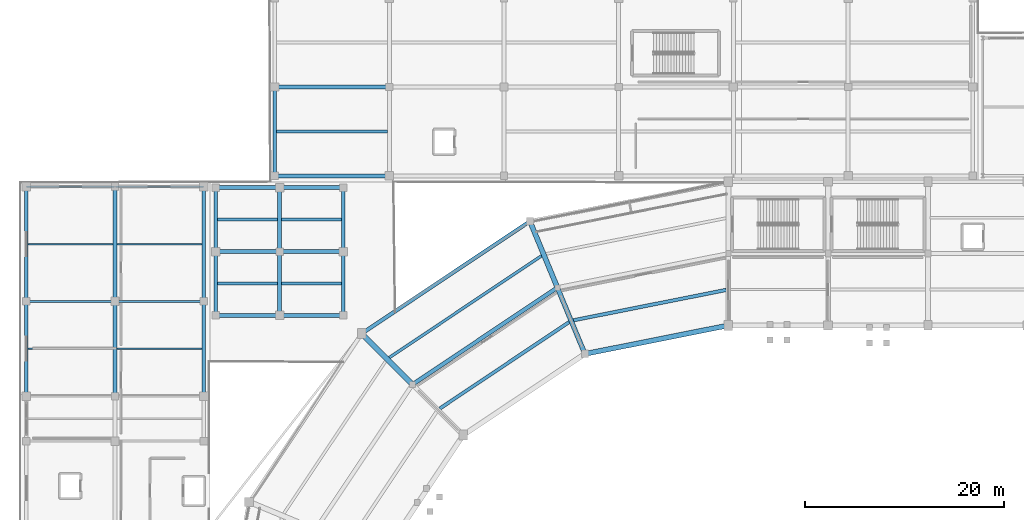
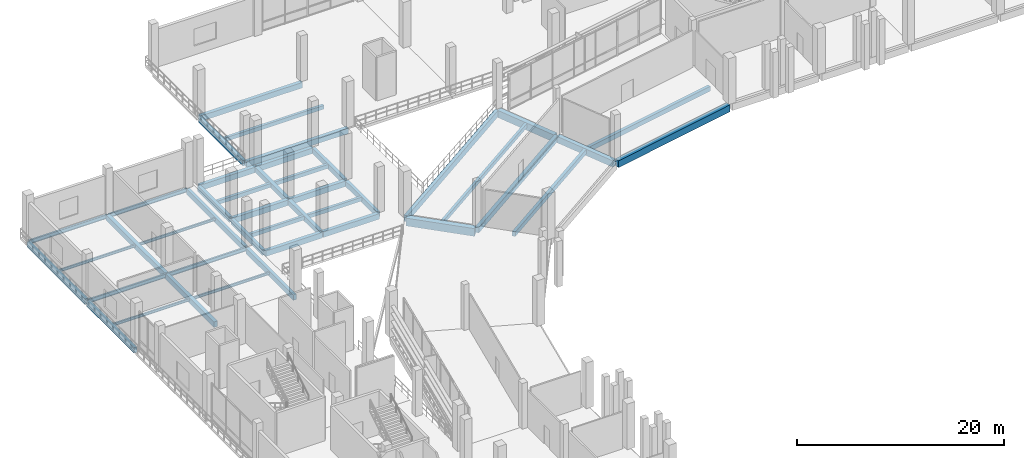
# One storey, part 46 of 114: 43 beams.
"""IFC4 building model written with IfcOpenShell, lengths in metres."""

from ifc_helpers import new_model, si_unit, direction, frame, origin, origin_2d, place, context, subcontext, project, spatial, rectangle, i_section, extrude, material, material_profile, profile_set, type_object, element, save


model = new_model("IFC4")

# Units and contexts
model_context = context("Model", 3, precision=1e-05, world=origin(), true_north=direction((0.0, 1.0)))
body_context = subcontext(model_context, "Body", "Model", "MODEL_VIEW")
ifc_project = project(units=[si_unit("LENGTHUNIT", "METRE"), si_unit("AREAUNIT", "SQUARE_METRE"), si_unit("VOLUMEUNIT", "CUBIC_METRE"), si_unit("PLANEANGLEUNIT", "RADIAN"), si_unit("MASSUNIT", "GRAM", prefix="KILO")], contexts=[model_context])

# Site, building, storey
site_placement = place(None, origin())
site = spatial("IfcSite", under=ifc_project, at=site_placement, CompositionType="ELEMENT")
building_placement = place(site_placement, origin())
building = spatial("IfcBuilding", under=site, at=building_placement, Name="Candeia Ridge Stadium", CompositionType="ELEMENT")
storey_placement = place(building_placement, frame((0.0, 0.0, 5.39990234375)))
storey = spatial("IfcBuildingStorey", under=building, at=storey_placement, Name="L01", CompositionType="ELEMENT", Elevation=5.39990234375)

# Beams
ifc_material_1 = material(Name="Concrete C40/50", Category="concrete")
ifc_material_profile_1 = material_profile(ifc_material_1, rectangle(XDim=0.35009765625, YDim=0.550048828125, at=origin_2d()), Name="RC350x550", Category="concrete")
ifc_profile_set_1 = profile_set([ifc_material_profile_1], Name="Concrete C40/50")
beam_type_1 = type_object("IfcBeamType", Name="Concourse Concrete Joist RC350x550", PredefinedType="JOIST", material=ifc_profile_set_1)
beam_1_placement = place(storey_placement, frame((70.7822265625, 136.15673828125, -0.534912109375), z_axis=(-0.980784984607, -0.195091809076, 0.0), x_axis=(0.195091809076, -0.980784984607, 0.0)))
element("IfcBeam", 1, at=beam_1_placement, inside=storey, type_object=beam_type_1, Name="Concourse secondary joist BM-L01-0106", PredefinedType="JOIST", context=body_context, shape_type="SweptSolid", body=[
    extrude(rectangle(XDim=0.35009765625, YDim=0.550048828125, at=origin_2d()), origin(), (0.0, 0.0, 1.0), 15.63134765625),
])
ifc_material_profile_2 = material_profile(ifc_material_1, rectangle(XDim=0.2900390625, YDim=0.469970703125, at=origin_2d()), Name="RC290x470", Category="concrete")
ifc_profile_set_2 = profile_set([ifc_material_profile_2], Name="Concrete C40/50")
beam_type_2 = type_object("IfcBeamType", Name="Floor Joist RC290x470", PredefinedType="JOIST", material=ifc_profile_set_2)
beam_2_placement = place(storey_placement, frame((52.29345703125, 139.592529296875, -0.494873046875), z_axis=(-0.831467306639, -0.555573683674, 0.0), x_axis=(0.555573683674, -0.831467306639, 0.0)))
element("IfcBeam", 2, at=beam_2_placement, inside=storey, type_object=beam_type_2, Name="Concourse secondary joist BM-L01-0112", PredefinedType="JOIST", context=body_context, shape_type="SweptSolid", body=[
    extrude(rectangle(XDim=0.2900390625, YDim=0.469970703125, at=origin_2d()), origin(), (0.0, 0.0, 1.0), 18.440673828125),
])
ifc_material_profile_3 = material_profile(ifc_material_1, rectangle(XDim=0.300048828125, YDim=0.449951171875, at=origin_2d()), Name="RC300x450", Category="concrete")
ifc_profile_set_3 = profile_set([ifc_material_profile_3], Name="Concrete C40/50")
beam_type_3 = type_object("IfcBeamType", Name="Floor Joist RC300x450", PredefinedType="JOIST", material=ifc_profile_set_3)
beam_3_placement = place(storey_placement, frame((25.674560546875, 152.050048828125, -0.48486328125), z_axis=(1.0, 0.0, 0.0), x_axis=(0.0, 1.0, 0.0)))
element("IfcBeam", 3, at=beam_3_placement, inside=storey, type_object=beam_type_3, Name="Wing secondary joist BM-L01-1543", PredefinedType="JOIST", context=body_context, shape_type="SweptSolid", body=[
    extrude(rectangle(XDim=0.300048828125, YDim=0.449951171875, at=origin_2d()), origin(), (0.0, 0.0, 1.0), 11.1259765625),
])
for number, where, z_axis, x_axis, name in (
    (4, (19.7744140625, 136.800048828125, -0.48486328125), (1.0, 0.0, 0.0), (0.0, 1.0, 0.0), "Wing secondary joist BM-L01-2051"),
    (5, (19.7744140625, 143.199951171875, -0.48486328125), (1.0, 0.0, 0.0), (0.0, 1.0, 0.0), "Wing secondary joist BM-L01-2053"),
    (6, (26.199462890625, 136.800048828125, -0.48486328125), (1.0, 0.0, 0.0), (0.0, 1.0, 0.0), "Wing secondary joist BM-L01-2056"),
    (7, (26.199462890625, 143.199951171875, -0.48486328125), (1.0, 0.0, 0.0), (0.0, 1.0, 0.0), "Wing secondary joist BM-L01-2058"),
):
    element("IfcBeam", number, at=place(storey_placement, frame(where, z_axis=z_axis, x_axis=x_axis)), inside=storey, type_object=beam_type_3, Name=name, PredefinedType="JOIST", context=body_context, shape_type="SweptSolid", body=[
        extrude(rectangle(XDim=0.300048828125, YDim=0.449951171875, at=origin_2d()), origin(), (0.0, 0.0, 1.0), 6.026123046875),
    ])
ifc_material_profile_4 = material_profile(ifc_material_1, rectangle(XDim=0.340087890625, YDim=0.5400390625, at=origin_2d()), Name="RC340x540", Category="concrete")
ifc_profile_set_4 = profile_set([ifc_material_profile_4], Name="Concrete C40/50")
beam_type_4 = type_object("IfcBeamType", Name="Floor Joist RC340x540", PredefinedType="JOIST", material=ifc_profile_set_4)
beam_4_placement = place(storey_placement, frame((55.048828125, 132.9404296875, -0.52978515625), z_axis=(-0.831470752017, -0.555568527312, 0.0), x_axis=(0.555568527312, -0.831470752017, 0.0)))
element("IfcBeam", 8, at=beam_4_placement, inside=storey, type_object=beam_type_4, Name="Concourse secondary joist BM-L01-0111", PredefinedType="JOIST", context=body_context, shape_type="SweptSolid", body=[
    extrude(rectangle(XDim=0.340087890625, YDim=0.5400390625, at=origin_2d()), origin(), (0.0, 0.0, 1.0), 15.63134765625),
])
ifc_material_profile_5 = material_profile(ifc_material_1, rectangle(XDim=0.39990234375, YDim=0.60009765625, at=origin_2d()), Name="RC400x600", Category="concrete")
ifc_profile_set_5 = profile_set([ifc_material_profile_5], Name="Concrete C40/50")
beam_type_5 = type_object("IfcBeamType", Name="Frame Girder RC400x600", PredefinedType="BEAM", material=ifc_profile_set_5)
for number, where, z_axis, x_axis, name in (
    (9, (26.0, 133.760009765625, -0.559814453125), (0.0, 1.0, 0.0), (-1.0, 0.0, 0.0), "Structural girder BM-L01-2046"),
    (10, (26.0, 140.159912109375, -0.559814453125), (0.0, 1.0, 0.0), (-1.0, 0.0, 0.0), "Structural girder BM-L01-2047"),
):
    element("IfcBeam", number, at=place(storey_placement, frame(where, z_axis=z_axis, x_axis=x_axis)), inside=storey, type_object=beam_type_5, Name=name, PredefinedType="BEAM", context=body_context, shape_type="SweptSolid", body=[
        extrude(rectangle(XDim=0.39990234375, YDim=0.60009765625, at=origin_2d()), origin(), (0.0, 0.0, 1.0), 6.080078125),
    ])
ifc_material_profile_6 = material_profile(ifc_material_1, rectangle(XDim=0.469970703125, YDim=0.760009765625, at=origin_2d()), Name="RC470x760", Category="concrete")
ifc_profile_set_6 = profile_set([ifc_material_profile_6], Name="Concrete C40/50")
beam_type_6 = type_object("IfcBeamType", Name="Frame Girder RC470x760", PredefinedType="BEAM", material=ifc_profile_set_6)
beam_5_placement = place(storey_placement, frame((56.5498046875, 129.8857421875, -0.639892578125), z_axis=(-0.382681914982, 0.923880161031, 0.0), x_axis=(-0.923880161031, -0.382681914982, 0.0)))
element("IfcBeam", 11, at=beam_5_placement, inside=storey, type_object=beam_type_6, Name="Bowl radial girder BM-L01-0017", PredefinedType="BEAM", context=body_context, shape_type="SweptSolid", body=[
    extrude(rectangle(XDim=0.469970703125, YDim=0.760009765625, at=origin_2d()), origin(), (0.0, 0.0, 1.0), 6.8798828125),
])
ifc_material_profile_7 = material_profile(ifc_material_1, rectangle(XDim=0.5, YDim=0.800048828125, at=origin_2d()), Name="RC500x800", Category="concrete")
ifc_profile_set_7 = profile_set([ifc_material_profile_7], Name="Concrete C40/50")
beam_type_7 = type_object("IfcBeamType", Name="Frame Girder RC500x800", PredefinedType="BEAM", material=ifc_profile_set_7)
beam_6_placement = place(storey_placement, frame((70.843017578125, 132.56884765625, -0.659912109375), z_axis=(-0.980783642657, -0.195098555341, 0.0), x_axis=(0.195098555341, -0.980783642657, 0.0)))
element("IfcBeam", 12, at=beam_6_placement, inside=storey, type_object=beam_type_7, Name="Bowl inner ring girder BM-L01-0103", PredefinedType="BEAM", context=body_context, shape_type="SweptSolid", body=[
    extrude(rectangle(XDim=0.5, YDim=0.800048828125, at=origin_2d()), origin(), (0.0, 0.0, 1.0), 14.350830078125),
])
ifc_material_2 = material(Name="Concrete C45/55", Category="concrete")
ifc_material_profile_8 = material_profile(ifc_material_2, rectangle(XDim=0.5, YDim=0.85009765625, at=origin_2d()), Name="RC500x850", Category="concrete")
ifc_profile_set_8 = profile_set([ifc_material_profile_8], Name="Concrete C45/55")
beam_type_8 = type_object("IfcBeamType", Name="Frame Girder RC500x850", PredefinedType="BEAM", material=ifc_profile_set_8)
beam_7_placement = place(storey_placement, frame((53.79443359375, 136.53759765625, -0.684814453125), z_axis=(-0.382681914982, 0.923880161031, 0.0), x_axis=(-0.923880161031, -0.382681914982, 0.0)))
element("IfcBeam", 13, at=beam_7_placement, inside=storey, type_object=beam_type_8, Name="Bowl radial girder BM-L01-0018", PredefinedType="BEAM", context=body_context, shape_type="SweptSolid", body=[
    extrude(rectangle(XDim=0.5, YDim=0.85009765625, at=origin_2d()), origin(), (0.0, 0.0, 1.0), 6.8798828125),
])
ifc_material_profile_9 = material_profile(ifc_material_2, rectangle(XDim=0.550048828125, YDim=0.919921875, at=origin_2d()), Name="RC550x920", Category="concrete")
ifc_profile_set_9 = profile_set([ifc_material_profile_9], Name="Concrete C45/55")
beam_type_9 = type_object("IfcBeamType", Name="Frame Girder RC550x920", PredefinedType="BEAM", material=ifc_profile_set_9)
beam_8_placement = place(storey_placement, frame((39.20849609375, 126.79150390625, -0.719970703125), z_axis=(-0.707106781187, 0.707106781187, 0.0), x_axis=(-0.707106781187, -0.707106781187, 0.0)))
element("IfcBeam", 14, at=beam_8_placement, inside=storey, type_object=beam_type_9, Name="Bowl radial girder BM-L01-0020", PredefinedType="BEAM", context=body_context, shape_type="SweptSolid", body=[
    extrude(rectangle(XDim=0.550048828125, YDim=0.919921875, at=origin_2d()), origin(), (0.0, 0.0, 1.0), 6.880126953125),
])
ifc_material_3 = material(Name="Steel ASTM A572 Grade 50", Category="steel")
ifc_material_profile_10 = material_profile(ifc_material_3, i_section(OverallWidth=0.1669921875, OverallDepth=0.31689453125, WebThickness=0.007568359375, FlangeThickness=0.01318359375, FilletRadius=0.011962890625, at=origin_2d()), Name="W310x52", Category="steel")
ifc_profile_set_10 = profile_set([ifc_material_profile_10], Name="Steel ASTM A572 Grade 50")
beam_type_10 = type_object("IfcBeamType", Name="Pavilion Secondary Joist W310x52", PredefinedType="JOIST", material=ifc_profile_set_10)
for number, where, z_axis, x_axis, name in (
    (15, (0.7744140625, 130.25, -0.41845703125), (1.0, 0.0, 0.0), (0.0, 1.0, 0.0), "Wing secondary joist BM-L01-1085"),
    (16, (0.7744140625, 140.75, -0.41845703125), (1.0, 0.0, 0.0), (0.0, 1.0, 0.0), "Wing secondary joist BM-L01-1087"),
    (17, (9.699462890625, 130.25, -0.41845703125), (1.0, 0.0, 0.0), (0.0, 1.0, 0.0), "Wing secondary joist BM-L01-1109"),
    (18, (9.699462890625, 140.75, -0.41845703125), (1.0, 0.0, 0.0), (0.0, 1.0, 0.0), "Wing secondary joist BM-L01-1111"),
):
    element("IfcBeam", number, at=place(storey_placement, frame(where, z_axis=z_axis, x_axis=x_axis)), inside=storey, type_object=beam_type_10, Name=name, PredefinedType="JOIST", context=body_context, shape_type="SweptSolid", body=[
        extrude(i_section(OverallWidth=0.1669921875, OverallDepth=0.31689453125, WebThickness=0.007568359375, FlangeThickness=0.01318359375, FilletRadius=0.011962890625, at=origin_2d()), origin(), (0.0, 0.0, 1.0), 8.526123046875),
    ])
ifc_material_profile_11 = material_profile(ifc_material_3, i_section(OverallWidth=0.18994140625, OverallDepth=0.45703125, WebThickness=0.009033203125, FlangeThickness=0.014404296875, FilletRadius=0.012939453125, at=origin_2d()), Name="W460x74", Category="steel")
ifc_profile_set_11 = profile_set([ifc_material_profile_11], Name="Steel ASTM A572 Grade 50")
beam_type_11 = type_object("IfcBeamType", Name="Pavilion Steel Girder W460x74", PredefinedType="BEAM", material=ifc_profile_set_11)
for number, where, z_axis, x_axis, name in (
    (19, (0.64990234375, 135.0, -0.48828125), (1.0, 0.0, 0.0), (0.0, 1.0, 0.0), "Structural girder BM-L01-1086"),
    (20, (0.64990234375, 146.5, -0.48828125), (1.0, 0.0, 0.0), (0.0, 1.0, 0.0), "Structural girder BM-L01-1088"),
    (21, (9.550048828125, 135.0, -0.48828125), (1.0, 0.0, 0.0), (0.0, 1.0, 0.0), "Structural girder BM-L01-1110"),
    (22, (9.550048828125, 146.5, -0.48828125), (1.0, 0.0, 0.0), (0.0, 1.0, 0.0), "Structural girder BM-L01-1112"),
):
    element("IfcBeam", number, at=place(storey_placement, frame(where, z_axis=z_axis, x_axis=x_axis)), inside=storey, type_object=beam_type_11, Name=name, PredefinedType="BEAM", context=body_context, shape_type="SweptSolid", body=[
        extrude(i_section(OverallWidth=0.18994140625, OverallDepth=0.45703125, WebThickness=0.009033203125, FlangeThickness=0.014404296875, FilletRadius=0.012939453125, at=origin_2d()), origin(), (0.0, 0.0, 1.0), 8.800048828125),
    ])
ifc_material_profile_12 = material_profile(ifc_material_1, rectangle(XDim=0.35009765625, YDim=0.64990234375, at=origin_2d()), Name="RC350x650", Category="concrete")
ifc_profile_set_12 = profile_set([ifc_material_profile_12], Name="Concrete C40/50")
beam_type_12 = type_object("IfcBeamType", Name="Spandrel Beam RC350x650", PredefinedType="SPANDREL", material=ifc_profile_set_12)
beam_9_placement = place(storey_placement, frame((0.60009765625, 125.659912109375, -0.5849609375), z_axis=(0.0, 1.0, 0.0), x_axis=(-1.0, 0.0, 0.0)))
element("IfcBeam", 23, at=beam_9_placement, inside=storey, type_object=beam_type_12, Name="Structural girder BM-L01-1045", PredefinedType="SPANDREL", context=body_context, shape_type="SweptSolid", body=[
    extrude(rectangle(XDim=0.35009765625, YDim=0.64990234375, at=origin_2d()), origin(), (0.0, 0.0, 1.0), 9.18017578125),
])
beam_10_placement = place(storey_placement, frame((0.60009765625, 135.159912109375, -0.5849609375), z_axis=(0.0, 1.0, 0.0), x_axis=(-1.0, 0.0, 0.0)))
element("IfcBeam", 24, at=beam_10_placement, inside=storey, type_object=beam_type_12, Name="Structural girder BM-L01-1046", PredefinedType="SPANDREL", context=body_context, shape_type="SweptSolid", body=[
    extrude(rectangle(XDim=0.35009765625, YDim=0.64990234375, at=origin_2d()), origin(), (0.0, 0.0, 1.0), 11.18017578125),
])
beam_11_placement = place(storey_placement, frame((18.39990234375, 125.659912109375, -0.5849609375), z_axis=(0.0, 1.0, 0.0), x_axis=(-1.0, 0.0, 0.0)))
element("IfcBeam", 25, at=beam_11_placement, inside=storey, type_object=beam_type_12, Name="Structural girder BM-L01-1069", PredefinedType="SPANDREL", context=body_context, shape_type="SweptSolid", body=[
    extrude(rectangle(XDim=0.35009765625, YDim=0.64990234375, at=origin_2d()), origin(), (0.0, 0.0, 1.0), 9.18017578125),
])
beam_12_placement = place(storey_placement, frame((18.39990234375, 135.159912109375, -0.5849609375), z_axis=(0.0, 1.0, 0.0), x_axis=(-1.0, 0.0, 0.0)))
element("IfcBeam", 26, at=beam_12_placement, inside=storey, type_object=beam_type_12, Name="Structural girder BM-L01-1070", PredefinedType="SPANDREL", context=body_context, shape_type="SweptSolid", body=[
    extrude(rectangle(XDim=0.35009765625, YDim=0.64990234375, at=origin_2d()), origin(), (0.0, 0.0, 1.0), 11.18017578125),
])
beam_13_placement = place(storey_placement, frame((25.5, 147.760009765625, -0.5849609375), z_axis=(0.0, 1.0, 0.0), x_axis=(-1.0, 0.0, 0.0)))
element("IfcBeam", 27, at=beam_13_placement, inside=storey, type_object=beam_type_12, Name="Structural girder BM-L01-1528", PredefinedType="SPANDREL", context=body_context, shape_type="SweptSolid", body=[
    extrude(rectangle(XDim=0.35009765625, YDim=0.64990234375, at=origin_2d()), origin(), (0.0, 0.0, 1.0), 8.580078125),
])
for number, where, z_axis, x_axis, name in (
    (28, (19.60009765625, 133.760009765625, -0.5849609375), (0.0, 1.0, 0.0), (-1.0, 0.0, 0.0), "Structural girder BM-L01-2044"),
    (29, (19.60009765625, 140.159912109375, -0.5849609375), (0.0, 1.0, 0.0), (-1.0, 0.0, 0.0), "Structural girder BM-L01-2045"),
    (30, (32.39990234375, 133.760009765625, -0.5849609375), (0.0, 1.0, 0.0), (-1.0, 0.0, 0.0), "Structural girder BM-L01-2048"),
    (31, (32.39990234375, 140.159912109375, -0.5849609375), (0.0, 1.0, 0.0), (-1.0, 0.0, 0.0), "Structural girder BM-L01-2049"),
):
    element("IfcBeam", number, at=place(storey_placement, frame(where, z_axis=z_axis, x_axis=x_axis)), inside=storey, type_object=beam_type_12, Name=name, PredefinedType="SPANDREL", context=body_context, shape_type="SweptSolid", body=[
        extrude(rectangle(XDim=0.35009765625, YDim=0.64990234375, at=origin_2d()), origin(), (0.0, 0.0, 1.0), 6.080078125),
    ])
ifc_material_profile_13 = material_profile(ifc_material_2, rectangle(XDim=0.3701171875, YDim=0.739990234375, at=origin_2d()), Name="RC370x740", Category="concrete")
ifc_profile_set_13 = profile_set([ifc_material_profile_13], Name="Concrete C45/55")
beam_type_13 = type_object("IfcBeamType", Name="Spandrel Beam RC370x740", PredefinedType="SPANDREL", material=ifc_profile_set_13)
beam_14_placement = place(storey_placement, frame((50.967529296875, 142.952880859375, -0.6298828125), z_axis=(-0.831468647505, -0.555571676938, 0.0), x_axis=(0.555571676938, -0.831468647505, 0.0)))
element("IfcBeam", 32, at=beam_14_placement, inside=storey, type_object=beam_type_13, Name="Bowl perimeter spandrel BM-L01-0110", PredefinedType="SPANDREL", context=body_context, shape_type="SweptSolid", body=[
    extrude(rectangle(XDim=0.3701171875, YDim=0.739990234375, at=origin_2d()), origin(), (0.0, 0.0, 1.0), 19.969482421875),
])
ifc_material_profile_14 = material_profile(ifc_material_1, rectangle(XDim=0.39990234375, YDim=0.64990234375, at=origin_2d()), Name="RC400x650", Category="concrete")
ifc_profile_set_14 = profile_set([ifc_material_profile_14], Name="Concrete C40/50")
beam_type_14 = type_object("IfcBeamType", Name="Wing Primary Girder RC400x650", PredefinedType="BEAM", material=ifc_profile_set_14)
beam_15_placement = place(storey_placement, frame((53.814208984375, 136.362060546875, -0.5849609375), z_axis=(-0.831464172962, -0.555578373482, 0.0), x_axis=(0.555578373482, -0.831464172962, 0.0)))
element("IfcBeam", 33, at=beam_15_placement, inside=storey, type_object=beam_type_14, Name="Concourse spine girder BM-L01-0109", PredefinedType="BEAM", context=body_context, shape_type="SweptSolid", body=[
    extrude(rectangle(XDim=0.39990234375, YDim=0.64990234375, at=origin_2d()), origin(), (0.0, 0.0, 1.0), 17.380126953125),
])
beam_16_placement = place(storey_placement, frame((9.5, 125.550048828125, -0.5849609375), z_axis=(0.0, 1.0, 0.0), x_axis=(-1.0, 0.0, 0.0)))
element("IfcBeam", 34, at=beam_16_placement, inside=storey, type_object=beam_type_14, Name="Structural girder BM-L01-1057", PredefinedType="BEAM", context=body_context, shape_type="SweptSolid", body=[
    extrude(rectangle(XDim=0.39990234375, YDim=0.64990234375, at=origin_2d()), origin(), (0.0, 0.0, 1.0), 9.39990234375),
])
for number, where, z_axis, x_axis, name in (
    (35, (9.5, 135.050048828125, -0.5849609375), (0.0, 1.0, 0.0), (-1.0, 0.0, 0.0), "Structural girder BM-L01-1058"),
    (36, (25.550048828125, 147.60009765625, -0.5849609375), (1.0, 0.0, 0.0), (0.0, 1.0, 0.0), "Structural girder BM-L01-1542"),
    (37, (25.550048828125, 156.5, -0.5849609375), (1.0, 0.0, 0.0), (0.0, 1.0, 0.0), "Structural girder BM-L01-1544"),
):
    element("IfcBeam", number, at=place(storey_placement, frame(where, z_axis=z_axis, x_axis=x_axis)), inside=storey, type_object=beam_type_14, Name=name, PredefinedType="BEAM", context=body_context, shape_type="SweptSolid", body=[
        extrude(rectangle(XDim=0.39990234375, YDim=0.64990234375, at=origin_2d()), origin(), (0.0, 0.0, 1.0), 11.39990234375),
    ])
for number, where, z_axis, x_axis, name in (
    (38, (19.64990234375, 133.60009765625, -0.5849609375), (1.0, 0.0, 0.0), (0.0, 1.0, 0.0), "Structural girder BM-L01-2050"),
    (39, (19.64990234375, 140.0, -0.5849609375), (1.0, 0.0, 0.0), (0.0, 1.0, 0.0), "Structural girder BM-L01-2052"),
    (40, (19.64990234375, 146.39990234375, -0.5849609375), (1.0, 0.0, 0.0), (0.0, 1.0, 0.0), "Structural girder BM-L01-2054"),
    (41, (26.050048828125, 133.60009765625, -0.5849609375), (1.0, 0.0, 0.0), (0.0, 1.0, 0.0), "Structural girder BM-L01-2055"),
    (42, (26.050048828125, 140.0, -0.5849609375), (1.0, 0.0, 0.0), (0.0, 1.0, 0.0), "Structural girder BM-L01-2057"),
    (43, (26.050048828125, 146.39990234375, -0.5849609375), (1.0, 0.0, 0.0), (0.0, 1.0, 0.0), "Structural girder BM-L01-2059"),
):
    element("IfcBeam", number, at=place(storey_placement, frame(where, z_axis=z_axis, x_axis=x_axis)), inside=storey, type_object=beam_type_14, Name=name, PredefinedType="BEAM", context=body_context, shape_type="SweptSolid", body=[
        extrude(rectangle(XDim=0.39990234375, YDim=0.64990234375, at=origin_2d()), origin(), (0.0, 0.0, 1.0), 6.300048828125),
    ])

save(model, "model.ifc")
